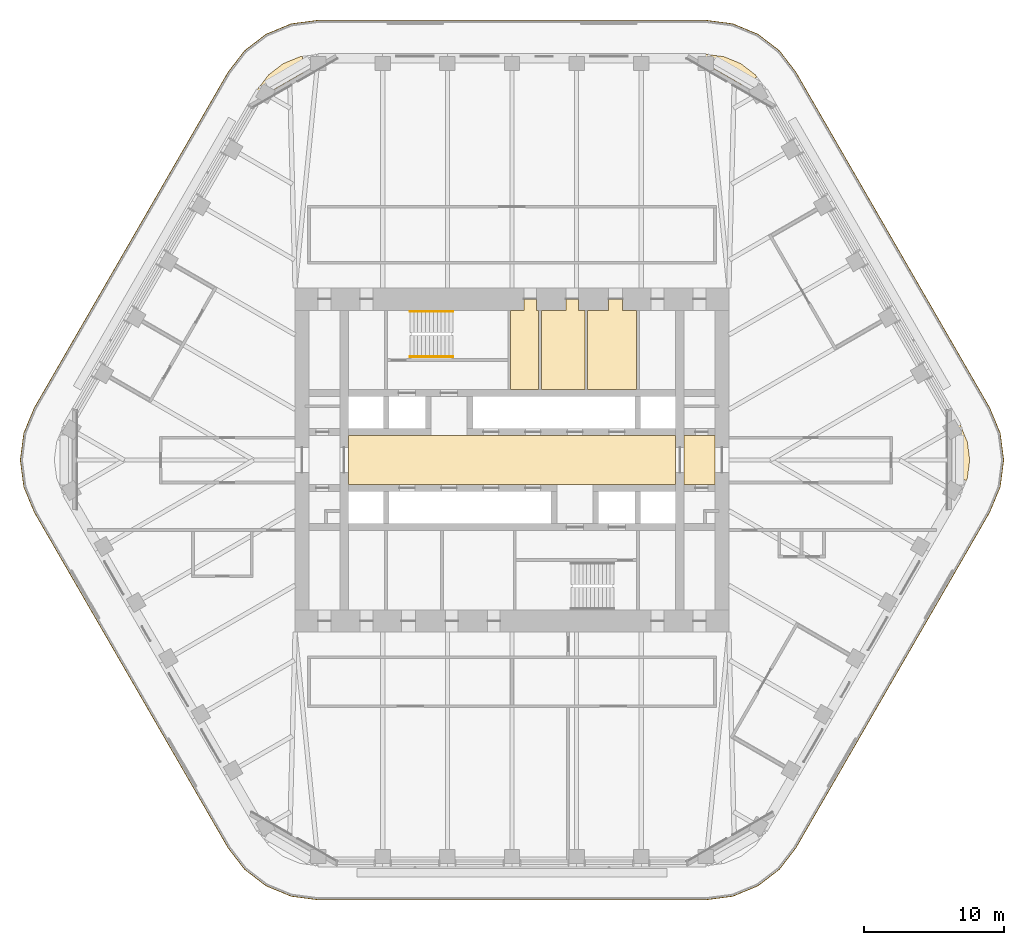
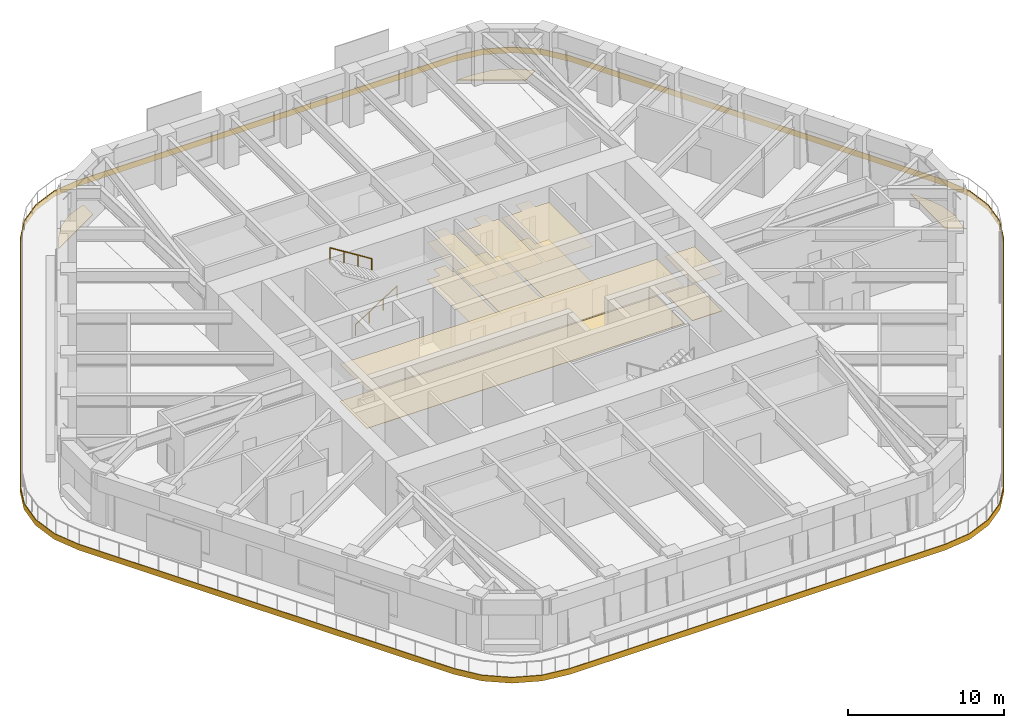
# One storey, part 19 of 20: 14 coverings, 2 railings.
"""IFC4 building model written with IfcOpenShell, lengths in metres."""

from ifc_helpers import new_model, si_unit, direction, frame, origin, origin_2d, place, context, subcontext, project, spatial, polyline, circle, outline, extrude, material, layer, layer_set, type_object, element, save


model = new_model("IFC4")

# Units and contexts
model_context = context("Model", 3, precision=1e-05, world=origin(), true_north=direction((0.0, 1.0)))
body_context = subcontext(model_context, "Body", "Model", "MODEL_VIEW")
ifc_project = project(units=[si_unit("LENGTHUNIT", "METRE"), si_unit("AREAUNIT", "SQUARE_METRE"), si_unit("VOLUMEUNIT", "CUBIC_METRE"), si_unit("PLANEANGLEUNIT", "RADIAN"), si_unit("MASSUNIT", "GRAM", prefix="KILO")], contexts=[model_context])

# Site, building, storey
site_placement = place(None, origin())
site = spatial("IfcSite", under=ifc_project, at=site_placement, CompositionType="ELEMENT")
building_placement = place(site_placement, origin())
building = spatial("IfcBuilding", under=site, at=building_placement, Name="Tarfa Lantern Tower", CompositionType="ELEMENT")
storey_placement = place(building_placement, frame((0.0, 0.0, 286.89990234375)))
storey = spatial("IfcBuildingStorey", under=building, at=storey_placement, Name="L65", CompositionType="ELEMENT", Elevation=286.89990234375)

# Coverings
ifc_material_1 = material(Name="Moisture-resistant plasterboard", Category="finish")
ifc_layer_1 = layer(ifc_material_1, 0.014892578125)
ifc_layer_set_1 = layer_set([ifc_layer_1], Name="CL2 MOISTURE-RESISTANT PLASTERBOARD CEILING 15")
covering_type_1 = type_object("IfcCoveringType", Name="CL2 MOISTURE-RESISTANT PLASTERBOARD CEILING 15", PredefinedType="CEILING", material=ifc_layer_set_1)
covering_1_placement = place(storey_placement, frame((0.0, 0.0, 2.900146484375)))
element("IfcCovering", 1, at=covering_1_placement, inside=storey, type_object=covering_type_1, Name="Ceiling L65-07", PredefinedType="CEILING", context=body_context, shape_type="SweptSolid", body=[
    extrude(outline(polyline([(0.85009765625, 10.699951171875), (-0.10009765625, 10.699951171875), (-0.10009765625, 5.050048828125), (1.89990234375, 5.050048828125), (1.89990234375, 10.699951171875), (1.75, 10.699951171875), (1.75, 11.5), (1.75, 11.5), (0.85009765625, 11.5), (0.85009765625, 10.699951171875)])), origin(), (0.0, 0.0, 1.0), 0.014892578125),
])
covering_2_placement = place(storey_placement, frame((0.0, 0.0, 2.900146484375)))
element("IfcCovering", 2, at=covering_2_placement, inside=storey, type_object=covering_type_1, Name="Ceiling L65-08", PredefinedType="CEILING", context=body_context, shape_type="SweptSolid", body=[
    extrude(outline(polyline([(2.10009765625, 5.050048828125), (5.199951171875, 5.050048828125), (5.199951171875, 10.699951171875), (4.75, 10.699951171875), (4.75, 11.5), (3.85009765625, 11.5), (3.85009765625, 10.699951171875), (2.10009765625, 10.699951171875), (2.10009765625, 5.050048828125)])), origin(), (0.0, 0.0, 1.0), 0.014892578125),
])
covering_3_placement = place(storey_placement, frame((0.0, 0.0, 2.900146484375)))
element("IfcCovering", 3, at=covering_3_placement, inside=storey, type_object=covering_type_1, Name="Ceiling L65-09", PredefinedType="CEILING", context=body_context, shape_type="SweptSolid", body=[
    extrude(outline(polyline([(5.39990234375, 5.050048828125), (8.89990234375, 5.050048828125), (8.89990234375, 10.699951171875), (7.89990234375, 10.699951171875), (7.89990234375, 11.5), (6.89990234375, 11.5), (6.89990234375, 10.699951171875), (5.39990234375, 10.699951171875), (5.39990234375, 5.050048828125)])), origin(), (0.0, 0.0, 1.0), 0.014892578125),
])
ifc_material_2 = material(Name="Powder-coated aluminium panel", Category="aluminium")
ifc_layer_2 = layer(ifc_material_2, 0.030029296875)
ifc_layer_set_2 = layer_set([ifc_layer_2], Name="CL3 METAL PANEL CEILING 30")
covering_type_2 = type_object("IfcCoveringType", Name="CL3 METAL PANEL CEILING 30", PredefinedType="CEILING", material=ifc_layer_set_2)
covering_4_placement = place(storey_placement, frame((0.0, 0.0, 2.900146484375)))
element("IfcCovering", 4, at=covering_4_placement, inside=storey, type_object=covering_type_2, Name="Ceiling L65-02", PredefinedType="CEILING", context=body_context, shape_type="SweptSolid", body=[
    extrude(outline(polyline([(-11.699951171875, -1.75), (11.699951171875, -1.75), (11.699951171875, 1.75), (-11.699951171875, 1.75), (-11.699951171875, -1.75)])), origin(), (0.0, 0.0, 1.0), 0.030029296875),
])
covering_5_placement = place(storey_placement, frame((0.0, 0.0, 2.900146484375)))
element("IfcCovering", 5, at=covering_5_placement, inside=storey, type_object=covering_type_2, Name="Ceiling L65-03", PredefinedType="CEILING", context=body_context, shape_type="SweptSolid", body=[
    extrude(outline(polyline([(12.300048828125, -1.75), (14.5, -1.75), (14.5, 1.75), (12.300048828125, 1.75), (12.300048828125, -1.75)])), origin(), (0.0, 0.0, 1.0), 0.030029296875),
])
ifc_material_3 = material(Name="Honed limestone flooring", Category="masonry")
ifc_layer_3 = layer(ifc_material_3, 0.030029296875)
ifc_layer_set_3 = layer_set([ifc_layer_3], Name="FL2 STONE FLOORING 30")
covering_type_3 = type_object("IfcCoveringType", Name="FL2 STONE FLOORING 30", PredefinedType="FLOORING", material=ifc_layer_set_3)
covering_6_placement = place(storey_placement, origin())
element("IfcCovering", 6, at=covering_6_placement, inside=storey, type_object=covering_type_3, Name="Floor finish L65-02", PredefinedType="FLOORING", context=body_context, shape_type="SweptSolid", body=[
    extrude(outline(polyline([(-11.699951171875, -1.75), (11.699951171875, -1.75), (11.699951171875, 1.75), (-11.699951171875, 1.75), (-11.699951171875, -1.75)])), origin(), (0.0, 0.0, 1.0), 0.030029296875),
])
covering_7_placement = place(storey_placement, origin())
element("IfcCovering", 7, at=covering_7_placement, inside=storey, type_object=covering_type_3, Name="Floor finish L65-03", PredefinedType="FLOORING", context=body_context, shape_type="SweptSolid", body=[
    extrude(outline(polyline([(12.300048828125, -1.75), (14.5, -1.75), (14.5, 1.75), (12.300048828125, 1.75), (12.300048828125, -1.75)])), origin(), (0.0, 0.0, 1.0), 0.030029296875),
])
ifc_material_4 = material(Name="Porcelain floor tile", Category="finish")
ifc_layer_4 = layer(ifc_material_4, 0.011962890625)
ifc_layer_set_4 = layer_set([ifc_layer_4], Name="FL3 CERAMIC TILE 12")
covering_type_4 = type_object("IfcCoveringType", Name="FL3 CERAMIC TILE 12", PredefinedType="FLOORING", material=ifc_layer_set_4)
covering_8_placement = place(storey_placement, origin())
element("IfcCovering", 8, at=covering_8_placement, inside=storey, type_object=covering_type_4, Name="Floor finish L65-07", PredefinedType="FLOORING", context=body_context, shape_type="SweptSolid", body=[
    extrude(outline(polyline([(0.85009765625, 10.699951171875), (-0.10009765625, 10.699951171875), (-0.10009765625, 5.050048828125), (1.89990234375, 5.050048828125), (1.89990234375, 10.699951171875), (1.75, 10.699951171875), (1.75, 11.5), (1.75, 11.5), (0.85009765625, 11.5), (0.85009765625, 10.699951171875)])), origin(), (0.0, 0.0, 1.0), 0.01220703125),
])
covering_9_placement = place(storey_placement, origin())
element("IfcCovering", 9, at=covering_9_placement, inside=storey, type_object=covering_type_4, Name="Floor finish L65-08", PredefinedType="FLOORING", context=body_context, shape_type="SweptSolid", body=[
    extrude(outline(polyline([(2.10009765625, 5.050048828125), (5.199951171875, 5.050048828125), (5.199951171875, 10.699951171875), (4.75, 10.699951171875), (4.75, 11.5), (3.85009765625, 11.5), (3.85009765625, 10.699951171875), (2.10009765625, 10.699951171875), (2.10009765625, 5.050048828125)])), origin(), (0.0, 0.0, 1.0), 0.01220703125),
])
covering_10_placement = place(storey_placement, origin())
element("IfcCovering", 10, at=covering_10_placement, inside=storey, type_object=covering_type_4, Name="Floor finish L65-09", PredefinedType="FLOORING", context=body_context, shape_type="SweptSolid", body=[
    extrude(outline(polyline([(5.39990234375, 5.050048828125), (8.89990234375, 5.050048828125), (8.89990234375, 10.699951171875), (7.89990234375, 10.699951171875), (7.89990234375, 11.5), (6.89990234375, 11.5), (6.89990234375, 10.699951171875), (5.39990234375, 10.699951171875), (5.39990234375, 5.050048828125)])), origin(), (0.0, 0.0, 1.0), 0.01220703125),
])

# Railings
ifc_material_5 = material(Name="Stainless steel", Category="steel")
railing_type = type_object("IfcRailingType", Name="HR1 HANDRAIL 900", PredefinedType="HANDRAIL", material=ifc_material_5)
railing_1_placement = place(storey_placement, frame((-7.300048828125, 7.3798828125, 0.175048828125)))
element("IfcRailing", 11, at=railing_1_placement, inside=storey, type_object=railing_type, Name="Handrail 1", PredefinedType="HANDRAIL", context=body_context, shape_type="SweptSolid", body=[
    extrude(circle(Radius=0.02392578125, at=origin_2d()), frame((0.0, 0.0, 0.8759765625), z_axis=(0.847998304005, 0.0, 0.529998940003), x_axis=(0.0, 1.0, 0.0)), (0.0, 0.0, 1.0), 3.632080078125),
    extrude(circle(Radius=0.02099609375, at=origin_2d()), frame((0.0, 0.0, 0.0), z_axis=(0.0, 0.0, 1.0), x_axis=(0.0, 1.0, 0.0)), (0.0, 0.0, 1.0), 0.851806640625),
    extrude(circle(Radius=0.02099609375, at=origin_2d()), frame((1.026611328125, 0.0, 0.6416015625), z_axis=(0.0, 0.0, 1.0), x_axis=(0.0, 1.0, 0.0)), (0.0, 0.0, 1.0), 0.851806640625),
    extrude(circle(Radius=0.02099609375, at=origin_2d()), frame((2.053466796875, 0.0, 1.283447265625), z_axis=(0.0, 0.0, 1.0), x_axis=(0.0, 1.0, 0.0)), (0.0, 0.0, 1.0), 0.851806640625),
    extrude(circle(Radius=0.02099609375, at=origin_2d()), frame((3.080078125, 0.0, 1.925048828125), z_axis=(0.0, 0.0, 1.0), x_axis=(0.0, 1.0, 0.0)), (0.0, 0.0, 1.0), 0.851806640625),
])
railing_2_placement = place(storey_placement, frame((-4.219970703125, 10.6201171875, 2.275146484375)))
element("IfcRailing", 12, at=railing_2_placement, inside=storey, type_object=railing_type, Name="Handrail 2", PredefinedType="HANDRAIL", context=body_context, shape_type="SweptSolid", body=[
    extrude(circle(Radius=0.02392578125, at=origin_2d()), frame((0.0, 0.0, 0.8759765625), z_axis=(-0.847998304005, 0.0, 0.529998940003), x_axis=(0.0, -1.0, 0.0)), (0.0, 0.0, 1.0), 3.632080078125),
    extrude(circle(Radius=0.02099609375, at=origin_2d()), frame((0.0, 0.0, 0.0), z_axis=(0.0, 0.0, 1.0), x_axis=(0.0, -1.0, 0.0)), (0.0, 0.0, 1.0), 0.851806640625),
    extrude(circle(Radius=0.02099609375, at=origin_2d()), frame((-1.026611328125, 0.0, 0.6416015625), z_axis=(0.0, 0.0, 1.0), x_axis=(0.0, -1.0, 0.0)), (0.0, 0.0, 1.0), 0.851806640625),
    extrude(circle(Radius=0.02099609375, at=origin_2d()), frame((-2.053466796875, 0.0, 1.283447265625), z_axis=(0.0, 0.0, 1.0), x_axis=(0.0, -1.0, 0.0)), (0.0, 0.0, 1.0), 0.851806640625),
    extrude(circle(Radius=0.02099609375, at=origin_2d()), frame((-3.080078125, 0.0, 1.925048828125), z_axis=(0.0, 0.0, 1.0), x_axis=(0.0, -1.0, 0.0)), (0.0, 0.0, 1.0), 0.851806640625),
])

# Coverings
ifc_material_6 = material(Name="Porcelain pavers on pedestals", Category="ceramic")
ifc_layer_5 = layer(ifc_material_6, 0.0400390625)
ifc_layer_set_5 = layer_set([ifc_layer_5], Name="LP1 LOGGIA PAVING 40")
covering_type_5 = type_object("IfcCoveringType", Name="LP1 LOGGIA PAVING 40", PredefinedType="FLOORING", material=ifc_layer_set_5)
covering_11_placement = place(storey_placement, origin())
element("IfcCovering", 13, at=covering_11_placement, inside=storey, type_object=covering_type_5, Name="Sky garden paving NE-N", PredefinedType="FLOORING", context=body_context, shape_type="SweptSolid", body=[
    extrude(outline(polyline([(15.150390625, 28.82958984375), (16.3564453125, 28.330078125), (17.391845703125, 27.53564453125), (17.51123046875, 27.380126953125), (16.4765625, 26.782958984375), (12.641357421875, 28.997314453125), (12.64306640625, 29.0), (13.8564453125, 29.0), (15.150390625, 28.82958984375)])), origin(), (0.0, 0.0, 1.0), 0.0400390625),
])
covering_12_placement = place(storey_placement, origin())
element("IfcCovering", 14, at=covering_12_placement, inside=storey, type_object=covering_type_5, Name="Sky garden paving N-NW", PredefinedType="FLOORING", context=body_context, shape_type="SweptSolid", body=[
    extrude(outline(polyline([(-17.391845703125, 27.53564453125), (-16.3564453125, 28.330078125), (-15.150390625, 28.82958984375), (-14.956298828125, 28.855224609375), (-14.956298828125, 27.66064453125), (-18.791748046875, 25.4462890625), (-18.793212890625, 25.44921875), (-18.1865234375, 26.5), (-17.391845703125, 27.53564453125)])), origin(), (0.0, 0.0, 1.0), 0.0400390625),
])
covering_13_placement = place(storey_placement, origin())
element("IfcCovering", 15, at=covering_13_placement, inside=storey, type_object=covering_type_5, Name="Sky garden paving SE-NE", PredefinedType="FLOORING", context=body_context, shape_type="SweptSolid", body=[
    extrude(outline(polyline([(32.54248046875, 1.294189453125), (32.712890625, 0.0), (32.54248046875, -1.294189453125), (32.467529296875, -1.474853515625), (31.43310546875, -0.877685546875), (31.43310546875, 3.55078125), (31.436279296875, 3.55078125), (32.04296875, 2.5), (32.54248046875, 1.294189453125)])), origin(), (0.0, 0.0, 1.0), 0.0400390625),
])
ifc_material_7 = material(Name="Limestone cladding on brackets", Category="masonry")
ifc_layer_6 = layer(ifc_material_7, 0.050048828125)
ifc_layer_set_6 = layer_set([ifc_layer_6], Name="SB1 STONE BAND CLADDING 50")
covering_type_6 = type_object("IfcCoveringType", Name="SB1 STONE BAND CLADDING 50", PredefinedType="CLADDING", material=ifc_layer_set_6)
covering_14_placement = place(storey_placement, frame((0.0, 0.0, -0.39990234375)))
element("IfcCovering", 16, at=covering_14_placement, inside=storey, type_object=covering_type_6, Name="Stone band", PredefinedType="CLADDING", context=body_context, shape_type="SweptSolid", body=[
    extrude(outline(polyline([(34.164794921875, 3.72509765625), (20.308349609375, 27.72509765625), (19.124267578125, 29.26806640625), (17.581298828125, 30.451904296875), (15.78466796875, 31.196044921875), (13.8564453125, 31.449951171875), (-13.8564453125, 31.449951171875), (-15.78466796875, 31.196044921875), (-17.581298828125, 30.451904296875), (-19.124267578125, 29.26806640625), (-20.308349609375, 27.72509765625), (-34.164794921875, 3.72509765625), (-34.908935546875, 1.92822265625), (-35.162841796875, 0.0), (-34.908935546875, -1.92822265625), (-34.164794921875, -3.72509765625), (-20.308349609375, -27.72509765625), (-19.124267578125, -29.26806640625), (-17.581298828125, -30.451904296875), (-15.78466796875, -31.196044921875), (-13.8564453125, -31.449951171875), (13.8564453125, -31.449951171875), (15.78466796875, -31.196044921875), (17.581298828125, -30.451904296875), (19.124267578125, -29.26806640625), (20.308349609375, -27.72509765625), (34.164794921875, -3.72509765625), (34.908935546875, -1.92822265625), (35.162841796875, 0.0), (34.908935546875, 1.92822265625), (34.164794921875, 3.72509765625)]), holes=[polyline([(34.121337890625, 3.699951171875), (20.264892578125, 27.699951171875), (19.089111328125, 29.232666015625), (17.556396484375, 30.40869140625), (15.771728515625, 31.14794921875), (13.8564453125, 31.39990234375), (-13.8564453125, 31.39990234375), (-15.771728515625, 31.14794921875), (-17.556396484375, 30.40869140625), (-19.089111328125, 29.232666015625), (-20.264892578125, 27.699951171875), (-34.121337890625, 3.699951171875), (-34.860595703125, 1.915283203125), (-35.11279296875, 0.0), (-34.860595703125, -1.915283203125), (-34.121337890625, -3.699951171875), (-20.264892578125, -27.699951171875), (-19.089111328125, -29.232666015625), (-17.556396484375, -30.40869140625), (-15.771728515625, -31.14794921875), (-13.8564453125, -31.39990234375), (13.8564453125, -31.39990234375), (15.771728515625, -31.14794921875), (17.556396484375, -30.40869140625), (19.089111328125, -29.232666015625), (20.264892578125, -27.699951171875), (34.121337890625, -3.699951171875), (34.860595703125, -1.915283203125), (35.11279296875, 0.0), (34.860595703125, 1.915283203125), (34.121337890625, 3.699951171875)])]), origin(), (0.0, 0.0, 1.0), 0.449951171875),
])

save(model, "model.ifc")
